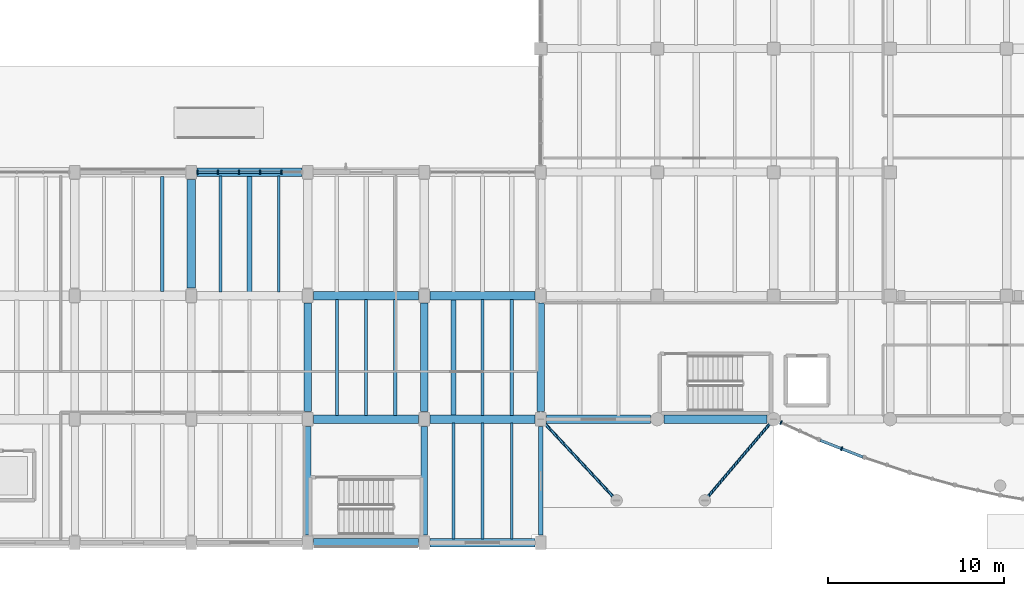
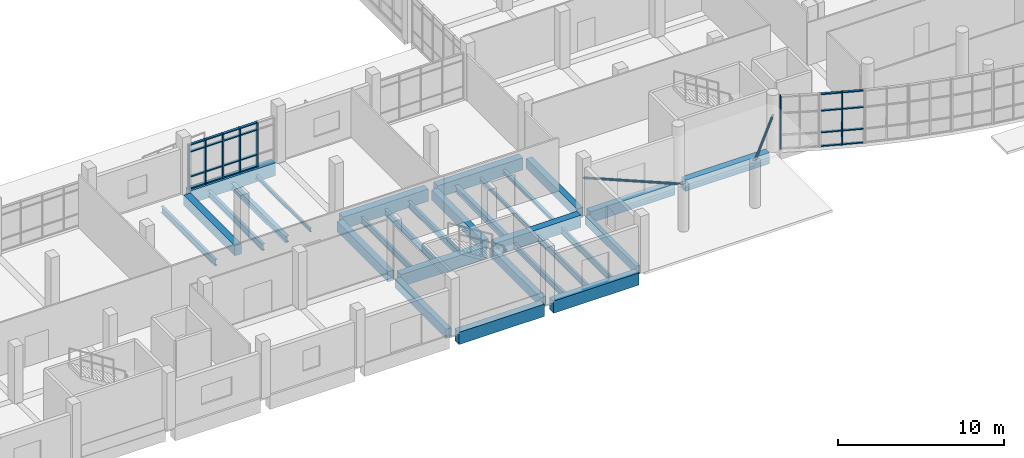
# One storey, part 4 of 69: 33 members, 29 beams, 3 elements without a shape of their own.
"""IFC4 building model written with IfcOpenShell, lengths in metres."""

from ifc_helpers import new_model, si_unit, direction, frame, origin, origin_2d, place, context, subcontext, project, spatial, rectangle, hollow_circle, i_section, extrude, material, material_profile, profile_set, type_object, element, aggregate, save


model = new_model("IFC4")

# Units and contexts
model_context = context("Model", 3, precision=1e-05, world=origin(), true_north=direction((0.0, 1.0)))
body_context = subcontext(model_context, "Body", "Model", "MODEL_VIEW")
ifc_project = project(units=[si_unit("LENGTHUNIT", "METRE"), si_unit("AREAUNIT", "SQUARE_METRE"), si_unit("VOLUMEUNIT", "CUBIC_METRE"), si_unit("PLANEANGLEUNIT", "RADIAN"), si_unit("MASSUNIT", "GRAM", prefix="KILO")], contexts=[model_context])

# Site, building, storey
site_placement = place(None, origin())
site = spatial("IfcSite", under=ifc_project, at=site_placement, CompositionType="ELEMENT")
building_placement = place(site_placement, origin())
building = spatial("IfcBuilding", under=site, at=building_placement, Name="Ciguamira Faculty of Natural Sciences", CompositionType="ELEMENT")
storey_placement = place(building_placement, origin())
storey = spatial("IfcBuildingStorey", under=building, at=storey_placement, Name="L00", CompositionType="ELEMENT", Elevation=0.0)

# Curtain wall, members
ifc_material_1 = material(Name="Anodized aluminium curtain wall", Category="aluminium")
curtain_wall_type_1 = type_object("IfcCurtainWallType", Name="CurtainWall_CW-03", PredefinedType="USERDEFINED", material=ifc_material_1)
curtain_wall_1_placement = place(storey_placement, origin())
curtain_wall_1 = element("IfcCurtainWall", 1, at=curtain_wall_1_placement, inside=storey, type_object=curtain_wall_type_1, Name="L00 unitised curtain wall 0003", ObjectType="UNITISED CURTAIN WALL", PredefinedType="USERDEFINED")
ifc_material_2 = material(Name="Anodized aluminium mullion", Category="aluminium")
ifc_material_profile_1 = material_profile(ifc_material_2, rectangle(XDim=0.080078125, YDim=0.219970703125, at=origin_2d()), Name="ALU-MUL-80X220")
ifc_profile_set_1 = profile_set([ifc_material_profile_1], Name="Anodized aluminium mullion")
member_type_1 = type_object("IfcMemberType", Name="CWMullion_CWM-03", PredefinedType="MULLION", material=ifc_profile_set_1)
member_1_placement = place(storey_placement, frame((31.239990234375, 24.0, 0.0), z_axis=(0.0, 0.0, 1.0), x_axis=(1.0, 0.0, 0.0)))
member_1 = element("IfcMember", 2, at=member_1_placement, type_object=member_type_1, Name="CW-03 mullion 1", PredefinedType="MULLION", context=body_context, shape_type="SweptSolid", body=[
    extrude(rectangle(XDim=0.080078125, YDim=0.219970703125, at=origin_2d()), origin(), (0.0, 0.0, 1.0), 3.284912109375),
])
member_2_placement = place(storey_placement, frame((32.39990234375, 24.0, 0.0), z_axis=(0.0, 0.0, 1.0), x_axis=(1.0, 0.0, 0.0)))
member_2 = element("IfcMember", 3, at=member_2_placement, type_object=member_type_1, Name="CW-03 mullion 2", PredefinedType="MULLION", context=body_context, shape_type="SweptSolid", body=[
    extrude(rectangle(XDim=0.080078125, YDim=0.219970703125, at=origin_2d()), origin(), (0.0, 0.0, 1.0), 3.284912109375),
])
member_3_placement = place(storey_placement, frame((33.60009765625, 24.0, 0.0), z_axis=(0.0, 0.0, 1.0), x_axis=(1.0, 0.0, 0.0)))
member_3 = element("IfcMember", 4, at=member_3_placement, type_object=member_type_1, Name="CW-03 mullion 3", PredefinedType="MULLION", context=body_context, shape_type="SweptSolid", body=[
    extrude(rectangle(XDim=0.080078125, YDim=0.219970703125, at=origin_2d()), origin(), (0.0, 0.0, 1.0), 3.284912109375),
])
member_4_placement = place(storey_placement, frame((34.800048828125, 24.0, 0.0), z_axis=(0.0, 0.0, 1.0), x_axis=(1.0, 0.0, 0.0)))
member_4 = element("IfcMember", 5, at=member_4_placement, type_object=member_type_1, Name="CW-03 mullion 4", PredefinedType="MULLION", context=body_context, shape_type="SweptSolid", body=[
    extrude(rectangle(XDim=0.080078125, YDim=0.219970703125, at=origin_2d()), origin(), (0.0, 0.0, 1.0), 3.284912109375),
])
member_5_placement = place(storey_placement, frame((36.0, 24.0, 0.0), z_axis=(0.0, 0.0, 1.0), x_axis=(1.0, 0.0, 0.0)))
member_5 = element("IfcMember", 6, at=member_5_placement, type_object=member_type_1, Name="CW-03 mullion 5", PredefinedType="MULLION", context=body_context, shape_type="SweptSolid", body=[
    extrude(rectangle(XDim=0.080078125, YDim=0.219970703125, at=origin_2d()), origin(), (0.0, 0.0, 1.0), 3.284912109375),
])

# Curtain wall, member
curtain_wall_type_2 = type_object("IfcCurtainWallType", Name="CurtainWall_CW-07", PredefinedType="USERDEFINED", material=ifc_material_1)
curtain_wall_2_placement = place(storey_placement, origin())
curtain_wall_2 = element("IfcCurtainWall", 7, at=curtain_wall_2_placement, inside=storey, type_object=curtain_wall_type_2, Name="L00 south gallery curved curtain wall 01", ObjectType="UNITISED CURTAIN WALL", PredefinedType="USERDEFINED")
member_6_placement = place(storey_placement, frame((64.31884765625, 9.809814453125, 0.0), z_axis=(0.0, 0.0, 1.0), x_axis=(0.910580503774, -0.41333176281, 0.0)))
member_6 = element("IfcMember", 8, at=member_6_placement, type_object=member_type_1, Name="CW-07 mullion 1", PredefinedType="MULLION", context=body_context, shape_type="SweptSolid", body=[
    extrude(rectangle(XDim=0.080078125, YDim=0.219970703125, at=origin_2d()), origin(), (0.0, 0.0, 1.0), 3.89990234375),
])
aggregate(curtain_wall_2, [member_6])

curtain_wall_type_3 = type_object("IfcCurtainWallType", Name="CurtainWall_CW-08", PredefinedType="USERDEFINED", material=ifc_material_1)
curtain_wall_3_placement = place(storey_placement, origin())
curtain_wall_3 = element("IfcCurtainWall", 9, at=curtain_wall_3_placement, inside=storey, type_object=curtain_wall_type_3, Name="L00 south gallery curved curtain wall 02", ObjectType="UNITISED CURTAIN WALL", PredefinedType="USERDEFINED")
member_7_placement = place(storey_placement, frame((67.75, 8.332275390625, 0.0), z_axis=(0.0, 0.0, 1.0), x_axis=(0.931122296337, -0.36470710065, 0.0)))
member_7 = element("IfcMember", 10, at=member_7_placement, type_object=member_type_1, Name="CW-08 mullion 2", PredefinedType="MULLION", context=body_context, shape_type="SweptSolid", body=[
    extrude(rectangle(XDim=0.080078125, YDim=0.219970703125, at=origin_2d()), origin(), (0.0, 0.0, 1.0), 3.89990234375),
])

# Member
ifc_material_3 = material(Name="Anodized aluminium transom", Category="aluminium")
ifc_material_profile_2 = material_profile(ifc_material_3, rectangle(XDim=0.080078125, YDim=0.159912109375, at=origin_2d()), Name="ALU-TRN-80X160")
ifc_profile_set_2 = profile_set([ifc_material_profile_2], Name="Anodized aluminium transom")
member_type_2 = type_object("IfcMemberType", Name="CWTransom_CWT-03", PredefinedType="USERDEFINED", material=ifc_profile_set_2)
member_8_placement = place(storey_placement, frame((31.280029296875, 24.0, 0.0400390625), z_axis=(1.0, 0.0, 0.0), x_axis=(0.0, 0.0, 1.0)))
member_8 = element("IfcMember", 11, at=member_8_placement, type_object=member_type_2, Name="CW-03 transom 1.1", ObjectType="TRANSOM", PredefinedType="USERDEFINED", context=body_context, shape_type="SweptSolid", body=[
    extrude(rectangle(XDim=0.080078125, YDim=0.159912109375, at=origin_2d()), origin(), (0.0, 0.0, 1.0), 1.080078125),
])

member_9_placement = place(storey_placement, frame((31.280029296875, 24.0, 0.89990234375), z_axis=(1.0, 0.0, 0.0), x_axis=(0.0, 0.0, 1.0)))
member_9 = element("IfcMember", 12, at=member_9_placement, type_object=member_type_2, Name="CW-03 transom 1.2", ObjectType="TRANSOM", PredefinedType="USERDEFINED", context=body_context, shape_type="SweptSolid", body=[
    extrude(rectangle(XDim=0.080078125, YDim=0.159912109375, at=origin_2d()), origin(), (0.0, 0.0, 1.0), 1.080078125),
])

member_10_placement = place(storey_placement, frame((31.280029296875, 24.0, 2.735107421875), z_axis=(1.0, 0.0, 0.0), x_axis=(0.0, 0.0, 1.0)))
member_10 = element("IfcMember", 13, at=member_10_placement, type_object=member_type_2, Name="CW-03 transom 1.3", ObjectType="TRANSOM", PredefinedType="USERDEFINED", context=body_context, shape_type="SweptSolid", body=[
    extrude(rectangle(XDim=0.080078125, YDim=0.159912109375, at=origin_2d()), origin(), (0.0, 0.0, 1.0), 1.080078125),
])

member_11_placement = place(storey_placement, frame((31.280029296875, 24.0, 3.2451171875), z_axis=(1.0, 0.0, 0.0), x_axis=(0.0, 0.0, 1.0)))
member_11 = element("IfcMember", 14, at=member_11_placement, type_object=member_type_2, Name="CW-03 transom 1.4", ObjectType="TRANSOM", PredefinedType="USERDEFINED", context=body_context, shape_type="SweptSolid", body=[
    extrude(rectangle(XDim=0.080078125, YDim=0.159912109375, at=origin_2d()), origin(), (0.0, 0.0, 1.0), 1.080078125),
])

member_12_placement = place(storey_placement, frame((32.43994140625, 24.0, 0.0400390625), z_axis=(1.0, 0.0, 0.0), x_axis=(0.0, 0.0, 1.0)))
member_12 = element("IfcMember", 15, at=member_12_placement, type_object=member_type_2, Name="CW-03 transom 2.1", ObjectType="TRANSOM", PredefinedType="USERDEFINED", context=body_context, shape_type="SweptSolid", body=[
    extrude(rectangle(XDim=0.080078125, YDim=0.159912109375, at=origin_2d()), origin(), (0.0, 0.0, 1.0), 1.1201171875),
])

member_13_placement = place(storey_placement, frame((32.43994140625, 24.0, 0.89990234375), z_axis=(1.0, 0.0, 0.0), x_axis=(0.0, 0.0, 1.0)))
member_13 = element("IfcMember", 16, at=member_13_placement, type_object=member_type_2, Name="CW-03 transom 2.2", ObjectType="TRANSOM", PredefinedType="USERDEFINED", context=body_context, shape_type="SweptSolid", body=[
    extrude(rectangle(XDim=0.080078125, YDim=0.159912109375, at=origin_2d()), origin(), (0.0, 0.0, 1.0), 1.1201171875),
])

member_14_placement = place(storey_placement, frame((32.43994140625, 24.0, 2.735107421875), z_axis=(1.0, 0.0, 0.0), x_axis=(0.0, 0.0, 1.0)))
member_14 = element("IfcMember", 17, at=member_14_placement, type_object=member_type_2, Name="CW-03 transom 2.3", ObjectType="TRANSOM", PredefinedType="USERDEFINED", context=body_context, shape_type="SweptSolid", body=[
    extrude(rectangle(XDim=0.080078125, YDim=0.159912109375, at=origin_2d()), origin(), (0.0, 0.0, 1.0), 1.1201171875),
])

member_15_placement = place(storey_placement, frame((32.43994140625, 24.0, 3.2451171875), z_axis=(1.0, 0.0, 0.0), x_axis=(0.0, 0.0, 1.0)))
member_15 = element("IfcMember", 18, at=member_15_placement, type_object=member_type_2, Name="CW-03 transom 2.4", ObjectType="TRANSOM", PredefinedType="USERDEFINED", context=body_context, shape_type="SweptSolid", body=[
    extrude(rectangle(XDim=0.080078125, YDim=0.159912109375, at=origin_2d()), origin(), (0.0, 0.0, 1.0), 1.1201171875),
])

member_16_placement = place(storey_placement, frame((33.639892578125, 24.0, 0.0400390625), z_axis=(1.0, 0.0, 0.0), x_axis=(0.0, 0.0, 1.0)))
member_16 = element("IfcMember", 19, at=member_16_placement, type_object=member_type_2, Name="CW-03 transom 3.1", ObjectType="TRANSOM", PredefinedType="USERDEFINED", context=body_context, shape_type="SweptSolid", body=[
    extrude(rectangle(XDim=0.080078125, YDim=0.159912109375, at=origin_2d()), origin(), (0.0, 0.0, 1.0), 1.1201171875),
])

member_17_placement = place(storey_placement, frame((33.639892578125, 24.0, 0.89990234375), z_axis=(1.0, 0.0, 0.0), x_axis=(0.0, 0.0, 1.0)))
member_17 = element("IfcMember", 20, at=member_17_placement, type_object=member_type_2, Name="CW-03 transom 3.2", ObjectType="TRANSOM", PredefinedType="USERDEFINED", context=body_context, shape_type="SweptSolid", body=[
    extrude(rectangle(XDim=0.080078125, YDim=0.159912109375, at=origin_2d()), origin(), (0.0, 0.0, 1.0), 1.1201171875),
])

member_18_placement = place(storey_placement, frame((33.639892578125, 24.0, 2.735107421875), z_axis=(1.0, 0.0, 0.0), x_axis=(0.0, 0.0, 1.0)))
member_18 = element("IfcMember", 21, at=member_18_placement, type_object=member_type_2, Name="CW-03 transom 3.3", ObjectType="TRANSOM", PredefinedType="USERDEFINED", context=body_context, shape_type="SweptSolid", body=[
    extrude(rectangle(XDim=0.080078125, YDim=0.159912109375, at=origin_2d()), origin(), (0.0, 0.0, 1.0), 1.1201171875),
])

member_19_placement = place(storey_placement, frame((33.639892578125, 24.0, 3.2451171875), z_axis=(1.0, 0.0, 0.0), x_axis=(0.0, 0.0, 1.0)))
member_19 = element("IfcMember", 22, at=member_19_placement, type_object=member_type_2, Name="CW-03 transom 3.4", ObjectType="TRANSOM", PredefinedType="USERDEFINED", context=body_context, shape_type="SweptSolid", body=[
    extrude(rectangle(XDim=0.080078125, YDim=0.159912109375, at=origin_2d()), origin(), (0.0, 0.0, 1.0), 1.1201171875),
])

member_20_placement = place(storey_placement, frame((34.840087890625, 24.0, 0.0400390625), z_axis=(1.0, 0.0, 0.0), x_axis=(0.0, 0.0, 1.0)))
member_20 = element("IfcMember", 23, at=member_20_placement, type_object=member_type_2, Name="CW-03 transom 4.1", ObjectType="TRANSOM", PredefinedType="USERDEFINED", context=body_context, shape_type="SweptSolid", body=[
    extrude(rectangle(XDim=0.080078125, YDim=0.159912109375, at=origin_2d()), origin(), (0.0, 0.0, 1.0), 1.119873046875),
])

member_21_placement = place(storey_placement, frame((34.840087890625, 24.0, 0.89990234375), z_axis=(1.0, 0.0, 0.0), x_axis=(0.0, 0.0, 1.0)))
member_21 = element("IfcMember", 24, at=member_21_placement, type_object=member_type_2, Name="CW-03 transom 4.2", ObjectType="TRANSOM", PredefinedType="USERDEFINED", context=body_context, shape_type="SweptSolid", body=[
    extrude(rectangle(XDim=0.080078125, YDim=0.159912109375, at=origin_2d()), origin(), (0.0, 0.0, 1.0), 1.119873046875),
])

member_22_placement = place(storey_placement, frame((34.840087890625, 24.0, 2.735107421875), z_axis=(1.0, 0.0, 0.0), x_axis=(0.0, 0.0, 1.0)))
member_22 = element("IfcMember", 25, at=member_22_placement, type_object=member_type_2, Name="CW-03 transom 4.3", ObjectType="TRANSOM", PredefinedType="USERDEFINED", context=body_context, shape_type="SweptSolid", body=[
    extrude(rectangle(XDim=0.080078125, YDim=0.159912109375, at=origin_2d()), origin(), (0.0, 0.0, 1.0), 1.119873046875),
])

member_23_placement = place(storey_placement, frame((34.840087890625, 24.0, 3.2451171875), z_axis=(1.0, 0.0, 0.0), x_axis=(0.0, 0.0, 1.0)))
member_23 = element("IfcMember", 26, at=member_23_placement, type_object=member_type_2, Name="CW-03 transom 4.4", ObjectType="TRANSOM", PredefinedType="USERDEFINED", context=body_context, shape_type="SweptSolid", body=[
    extrude(rectangle(XDim=0.080078125, YDim=0.159912109375, at=origin_2d()), origin(), (0.0, 0.0, 1.0), 1.119873046875),
])

aggregate(curtain_wall_1, [member_1, member_2, member_3, member_4, member_5, member_8, member_9, member_10, member_11, member_12, member_13, member_14, member_15, member_16, member_17, member_18, member_19, member_20, member_21, member_22, member_23])

member_24_placement = place(storey_placement, frame((66.541259765625, 8.8056640625, 0.0400390625), z_axis=(0.931142528587, -0.364655442104, 0.0), x_axis=(0.0, 0.0, 1.0)))
member_24 = element("IfcMember", 27, at=member_24_placement, type_object=member_type_2, Name="CW-08 transom 1.1", ObjectType="TRANSOM", PredefinedType="USERDEFINED", context=body_context, shape_type="SweptSolid", body=[
    extrude(rectangle(XDim=0.080078125, YDim=0.159912109375, at=origin_2d()), origin(), (0.0, 0.0, 1.0), 1.258056640625),
])

member_25_placement = place(storey_placement, frame((66.541259765625, 8.8056640625, 1.050048828125), z_axis=(0.931142528587, -0.364655442104, 0.0), x_axis=(0.0, 0.0, 1.0)))
member_25 = element("IfcMember", 28, at=member_25_placement, type_object=member_type_2, Name="CW-08 transom 1.2", ObjectType="TRANSOM", PredefinedType="USERDEFINED", context=body_context, shape_type="SweptSolid", body=[
    extrude(rectangle(XDim=0.080078125, YDim=0.159912109375, at=origin_2d()), origin(), (0.0, 0.0, 1.0), 1.258056640625),
])

member_26_placement = place(storey_placement, frame((66.541259765625, 8.8056640625, 2.64990234375), z_axis=(0.931142528587, -0.364655442104, 0.0), x_axis=(0.0, 0.0, 1.0)))
member_26 = element("IfcMember", 29, at=member_26_placement, type_object=member_type_2, Name="CW-08 transom 1.3", ObjectType="TRANSOM", PredefinedType="USERDEFINED", context=body_context, shape_type="SweptSolid", body=[
    extrude(rectangle(XDim=0.080078125, YDim=0.159912109375, at=origin_2d()), origin(), (0.0, 0.0, 1.0), 1.258056640625),
])

member_27_placement = place(storey_placement, frame((66.541259765625, 8.8056640625, 3.860107421875), z_axis=(0.931142528587, -0.364655442104, 0.0), x_axis=(0.0, 0.0, 1.0)))
member_27 = element("IfcMember", 30, at=member_27_placement, type_object=member_type_2, Name="CW-08 transom 1.4", ObjectType="TRANSOM", PredefinedType="USERDEFINED", context=body_context, shape_type="SweptSolid", body=[
    extrude(rectangle(XDim=0.080078125, YDim=0.159912109375, at=origin_2d()), origin(), (0.0, 0.0, 1.0), 1.258056640625),
])

member_28_placement = place(storey_placement, frame((67.787353515625, 8.317626953125, 0.0400390625), z_axis=(0.931142528587, -0.364655442104, 0.0), x_axis=(0.0, 0.0, 1.0)))
member_28 = element("IfcMember", 31, at=member_28_placement, type_object=member_type_2, Name="CW-08 transom 2.1", ObjectType="TRANSOM", PredefinedType="USERDEFINED", context=body_context, shape_type="SweptSolid", body=[
    extrude(rectangle(XDim=0.080078125, YDim=0.159912109375, at=origin_2d()), origin(), (0.0, 0.0, 1.0), 1.258056640625),
])

member_29_placement = place(storey_placement, frame((67.787353515625, 8.317626953125, 1.050048828125), z_axis=(0.931142528587, -0.364655442104, 0.0), x_axis=(0.0, 0.0, 1.0)))
member_29 = element("IfcMember", 32, at=member_29_placement, type_object=member_type_2, Name="CW-08 transom 2.2", ObjectType="TRANSOM", PredefinedType="USERDEFINED", context=body_context, shape_type="SweptSolid", body=[
    extrude(rectangle(XDim=0.080078125, YDim=0.159912109375, at=origin_2d()), origin(), (0.0, 0.0, 1.0), 1.258056640625),
])

member_30_placement = place(storey_placement, frame((67.787353515625, 8.317626953125, 2.64990234375), z_axis=(0.931142528587, -0.364655442104, 0.0), x_axis=(0.0, 0.0, 1.0)))
member_30 = element("IfcMember", 33, at=member_30_placement, type_object=member_type_2, Name="CW-08 transom 2.3", ObjectType="TRANSOM", PredefinedType="USERDEFINED", context=body_context, shape_type="SweptSolid", body=[
    extrude(rectangle(XDim=0.080078125, YDim=0.159912109375, at=origin_2d()), origin(), (0.0, 0.0, 1.0), 1.258056640625),
])

member_31_placement = place(storey_placement, frame((67.787353515625, 8.317626953125, 3.860107421875), z_axis=(0.931142528587, -0.364655442104, 0.0), x_axis=(0.0, 0.0, 1.0)))
member_31 = element("IfcMember", 34, at=member_31_placement, type_object=member_type_2, Name="CW-08 transom 2.4", ObjectType="TRANSOM", PredefinedType="USERDEFINED", context=body_context, shape_type="SweptSolid", body=[
    extrude(rectangle(XDim=0.080078125, YDim=0.159912109375, at=origin_2d()), origin(), (0.0, 0.0, 1.0), 1.258056640625),
])

aggregate(curtain_wall_3, [member_7, member_24, member_25, member_26, member_27, member_28, member_29, member_30, member_31])

# Beams
ifc_material_4 = material(Name="Concrete C40/50", Category="concrete")
ifc_material_profile_3 = material_profile(ifc_material_4, rectangle(XDim=0.5, YDim=0.949951171875, at=origin_2d()), Name="RC-BM-500X950")
ifc_profile_set_3 = profile_set([ifc_material_profile_3], Name="Concrete C40/50")
beam_type_1 = type_object("IfcBeamType", Name="RCBeam_BG-02_RC-BM-500X950", PredefinedType="BEAM", material=ifc_profile_set_3)
beam_1_placement = place(storey_placement, frame((31.22509765625, 24.0, -0.47509765625), z_axis=(1.0, 0.0, 0.0), x_axis=(0.0, 1.0, 0.0)))
element("IfcBeam", 35, at=beam_1_placement, inside=storey, type_object=beam_type_1, Name="L00 RC girder EW-0062", PredefinedType="BEAM", context=body_context, shape_type="SweptSolid", body=[
    extrude(rectangle(XDim=0.5, YDim=0.949951171875, at=origin_2d()), origin(), (0.0, 0.0, 1.0), 5.949951171875),
])
ifc_material_profile_4 = material_profile(ifc_material_4, rectangle(XDim=0.5, YDim=0.89990234375, at=origin_2d()), Name="RC-BM-500X900")
ifc_profile_set_4 = profile_set([ifc_material_profile_4], Name="Concrete C40/50")
beam_type_2 = type_object("IfcBeamType", Name="RCBeam_BG-03_RC-BM-500X900", PredefinedType="BEAM", material=ifc_profile_set_4)
for number, where, z_axis, x_axis, name in (
    (36, (37.824951171875, 3.0, -0.449951171875), (1.0, 0.0, 0.0), (0.0, 1.0, 0.0), "L00 RC girder EW-0006"),
    (37, (44.425048828125, 3.0, -0.449951171875), (1.0, 0.0, 0.0), (0.0, 1.0, 0.0), "L00 RC girder EW-0007"),
    (38, (37.824951171875, 10.0, -0.449951171875), (1.0, 0.0, 0.0), (0.0, 1.0, 0.0), "L00 RC girder EW-0020"),
    (39, (44.425048828125, 10.0, -0.449951171875), (1.0, 0.0, 0.0), (0.0, 1.0, 0.0), "L00 RC girder EW-0021"),
    (40, (37.824951171875, 17.0, -0.449951171875), (1.0, 0.0, 0.0), (0.0, 1.0, 0.0), "L00 RC girder EW-0038"),
    (41, (44.425048828125, 17.0, -0.449951171875), (1.0, 0.0, 0.0), (0.0, 1.0, 0.0), "L00 RC girder EW-0039"),
):
    element("IfcBeam", number, at=place(storey_placement, frame(where, z_axis=z_axis, x_axis=x_axis)), inside=storey, type_object=beam_type_2, Name=name, PredefinedType="BEAM", context=body_context, shape_type="SweptSolid", body=[
        extrude(rectangle(XDim=0.5, YDim=0.89990234375, at=origin_2d()), origin(), (0.0, 0.0, 1.0), 5.949951171875),
    ])
ifc_material_profile_5 = material_profile(ifc_material_4, rectangle(XDim=0.4599609375, YDim=0.820068359375, at=origin_2d()), Name="RC-BM-460X820")
ifc_profile_set_5 = profile_set([ifc_material_profile_5], Name="Concrete C40/50")
beam_type_3 = type_object("IfcBeamType", Name="RCBeam_BG-04_RC-BM-460X820", PredefinedType="BEAM", material=ifc_profile_set_5)
beam_2_placement = place(storey_placement, frame((51.02490234375, 10.0, -0.409912109375), z_axis=(1.0, 0.0, 0.0), x_axis=(0.0, 1.0, 0.0)))
element("IfcBeam", 42, at=beam_2_placement, inside=storey, type_object=beam_type_3, Name="L00 RC girder EW-0022", PredefinedType="BEAM", context=body_context, shape_type="SweptSolid", body=[
    extrude(rectangle(XDim=0.4599609375, YDim=0.820068359375, at=origin_2d()), origin(), (0.0, 0.0, 1.0), 5.900146484375),
])
beam_3_placement = place(storey_placement, frame((57.675048828125, 10.0, -0.409912109375), z_axis=(1.0, 0.0, 0.0), x_axis=(0.0, 1.0, 0.0)))
element("IfcBeam", 43, at=beam_3_placement, inside=storey, type_object=beam_type_3, Name="L00 RC girder EW-0023", PredefinedType="BEAM", context=body_context, shape_type="SweptSolid", body=[
    extrude(rectangle(XDim=0.4599609375, YDim=0.820068359375, at=origin_2d()), origin(), (0.0, 0.0, 1.0), 5.849853515625),
])
ifc_material_profile_6 = material_profile(ifc_material_4, rectangle(XDim=0.419921875, YDim=0.739990234375, at=origin_2d()), Name="RC-BM-420X740")
ifc_profile_set_6 = profile_set([ifc_material_profile_6], Name="Concrete C40/50")
beam_type_4 = type_object("IfcBeamType", Name="RCBeam_BG-07_RC-BM-420X740", PredefinedType="BEAM", material=ifc_profile_set_6)
for number, where, z_axis, x_axis, name in (
    (44, (37.5, 10.425048828125, -0.3701171875), (0.0, 1.0, 0.0), (-1.0, 0.0, 0.0), "L00 girder NS-0208"),
    (45, (44.10009765625, 10.425048828125, -0.3701171875), (0.0, 1.0, 0.0), (-1.0, 0.0, 0.0), "L00 girder NS-0211"),
    (46, (50.699951171875, 10.425048828125, -0.3701171875), (0.0, 1.0, 0.0), (-1.0, 0.0, 0.0), "L00 girder NS-0214"),
):
    element("IfcBeam", number, at=place(storey_placement, frame(where, z_axis=z_axis, x_axis=x_axis)), inside=storey, type_object=beam_type_4, Name=name, PredefinedType="BEAM", context=body_context, shape_type="SweptSolid", body=[
        extrude(rectangle(XDim=0.419921875, YDim=0.739990234375, at=origin_2d()), origin(), (0.0, 0.0, 1.0), 6.14990234375),
    ])
ifc_material_profile_7 = material_profile(ifc_material_4, rectangle(XDim=0.3798828125, YDim=0.679931640625, at=origin_2d()), Name="RC-BM-380X680")
ifc_profile_set_7 = profile_set([ifc_material_profile_7], Name="Concrete C40/50")
beam_type_5 = type_object("IfcBeamType", Name="RCBeam_BG-09_RC-BM-380X680", PredefinedType="BEAM", material=ifc_profile_set_7)
for number, where, z_axis, x_axis, name in (
    (47, (37.5, 3.425048828125, -0.340087890625), (0.0, 1.0, 0.0), (-1.0, 0.0, 0.0), "L00 girder NS-0207"),
    (48, (44.10009765625, 3.425048828125, -0.340087890625), (0.0, 1.0, 0.0), (-1.0, 0.0, 0.0), "L00 girder NS-0210"),
):
    element("IfcBeam", number, at=place(storey_placement, frame(where, z_axis=z_axis, x_axis=x_axis)), inside=storey, type_object=beam_type_5, Name=name, PredefinedType="BEAM", context=body_context, shape_type="SweptSolid", body=[
        extrude(rectangle(XDim=0.3798828125, YDim=0.679931640625, at=origin_2d()), origin(), (0.0, 0.0, 1.0), 6.14990234375),
    ])
ifc_material_5 = material(Name="Precast concrete C40/50", Category="concrete")
ifc_material_profile_8 = material_profile(ifc_material_5, rectangle(XDim=0.280029296875, YDim=0.6201171875, at=origin_2d()), Name="RC-SP-280X620")
ifc_profile_set_8 = profile_set([ifc_material_profile_8], Name="Precast concrete C40/50")
beam_type_6 = type_object("IfcBeamType", Name="RCBeam_SP-01_RC-SP-280X620", PredefinedType="SPANDREL", material=ifc_profile_set_8)
beam_4_placement = place(storey_placement, frame((50.699951171875, 3.425048828125, -0.31005859375), z_axis=(0.0, 1.0, 0.0), x_axis=(-1.0, 0.0, 0.0)))
element("IfcBeam", 49, at=beam_4_placement, inside=storey, type_object=beam_type_6, Name="L00 girder NS-0213", PredefinedType="SPANDREL", context=body_context, shape_type="SweptSolid", body=[
    extrude(rectangle(XDim=0.280029296875, YDim=0.6201171875, at=origin_2d()), origin(), (0.0, 0.0, 1.0), 6.14990234375),
])
ifc_material_profile_9 = material_profile(ifc_material_4, rectangle(XDim=0.47998046875, YDim=0.760009765625, at=origin_2d()), Name="RC-TB-480X760")
ifc_profile_set_9 = profile_set([ifc_material_profile_9], Name="Concrete C40/50")
beam_type_7 = type_object("IfcBeamType", Name="RCBeam_TB-01_RC-TB-480X760", PredefinedType="T_BEAM", material=ifc_profile_set_9)
beam_5_placement = place(storey_placement, frame((30.89990234375, 17.425048828125, -0.3798828125), z_axis=(0.0, 1.0, 0.0), x_axis=(-1.0, 0.0, 0.0)))
element("IfcBeam", 50, at=beam_5_placement, inside=storey, type_object=beam_type_7, Name="L00 girder NS-0206", PredefinedType="T_BEAM", context=body_context, shape_type="SweptSolid", body=[
    extrude(rectangle(XDim=0.47998046875, YDim=0.760009765625, at=origin_2d()), origin(), (0.0, 0.0, 1.0), 6.14990234375),
])
ifc_material_6 = material(Name="Steel ASTM A992 Grade 50", Category="steel")
ifc_material_profile_10 = material_profile(ifc_material_6, i_section(OverallWidth=0.14599609375, OverallDepth=0.259033203125, WebThickness=0.006103515625, FlangeThickness=0.009033203125, at=origin_2d()), Name="W10X22")
ifc_profile_set_10 = profile_set([ifc_material_profile_10], Name="Steel ASTM A992 Grade 50")
beam_type_8 = type_object("IfcBeamType", Name="SteelJoist_SJ-01_W10X22", PredefinedType="JOIST", material=ifc_profile_set_10)
for number, where, z_axis, x_axis, name in (
    (51, (35.85009765625, 17.2099609375, -0.529541015625), (0.0, 1.0, 0.0), (-1.0, 0.0, 0.0), "L00 composite steel joist 00041"),
    (52, (47.39990234375, 10.2099609375, -0.529541015625), (0.0, 1.0, 0.0), (-1.0, 0.0, 0.0), "L00 composite steel joist 00052"),
):
    element("IfcBeam", number, at=place(storey_placement, frame(where, z_axis=z_axis, x_axis=x_axis)), inside=storey, type_object=beam_type_8, Name=name, PredefinedType="JOIST", context=body_context, shape_type="SweptSolid", body=[
        extrude(i_section(OverallWidth=0.14599609375, OverallDepth=0.259033203125, WebThickness=0.006103515625, FlangeThickness=0.009033203125, at=origin_2d()), origin(), (0.0, 0.0, 1.0), 6.580078125),
    ])
ifc_material_profile_11 = material_profile(ifc_material_6, i_section(OverallWidth=0.2021484375, OverallDepth=0.2470703125, WebThickness=0.00732421875, FlangeThickness=0.010986328125, at=origin_2d()), Name="W10X33")
ifc_profile_set_11 = profile_set([ifc_material_profile_11], Name="Steel ASTM A992 Grade 50")
beam_type_9 = type_object("IfcBeamType", Name="SteelJoist_SJ-02_W10X33", PredefinedType="JOIST", material=ifc_profile_set_11)
beam_6_placement = place(storey_placement, frame((49.050048828125, 10.2099609375, -0.523681640625), z_axis=(0.0, 1.0, 0.0), x_axis=(-1.0, 0.0, 0.0)))
element("IfcBeam", 53, at=beam_6_placement, inside=storey, type_object=beam_type_9, Name="L00 composite steel joist 00053", PredefinedType="JOIST", context=body_context, shape_type="SweptSolid", body=[
    extrude(i_section(OverallWidth=0.2021484375, OverallDepth=0.2470703125, WebThickness=0.00732421875, FlangeThickness=0.010986328125, at=origin_2d()), origin(), (0.0, 0.0, 1.0), 6.580078125),
])
ifc_material_profile_12 = material_profile(ifc_material_6, i_section(OverallWidth=0.180908203125, OverallDepth=0.41650390625, WebThickness=0.010986328125, FlangeThickness=0.01806640625, at=origin_2d()), Name="W16X57")
ifc_profile_set_12 = profile_set([ifc_material_profile_12], Name="Steel ASTM A992 Grade 50")
beam_type_10 = type_object("IfcBeamType", Name="SteelJoist_SJ-20_W16X57", PredefinedType="JOIST", material=ifc_profile_set_12)
beam_7_placement = place(storey_placement, frame((45.75, 3.2099609375, -0.6083984375), z_axis=(0.0, 1.0, 0.0), x_axis=(-1.0, 0.0, 0.0)))
element("IfcBeam", 54, at=beam_7_placement, inside=storey, type_object=beam_type_10, Name="L00 composite steel joist 00048", PredefinedType="JOIST", context=body_context, shape_type="SweptSolid", body=[
    extrude(i_section(OverallWidth=0.180908203125, OverallDepth=0.41650390625, WebThickness=0.010986328125, FlangeThickness=0.01806640625, at=origin_2d()), origin(), (0.0, 0.0, 1.0), 6.580078125),
])
ifc_material_profile_13 = material_profile(ifc_material_6, i_section(OverallWidth=0.15234375, OverallDepth=0.449462890625, WebThickness=0.007568359375, FlangeThickness=0.0107421875, at=origin_2d()), Name="W18X35")
ifc_profile_set_13 = profile_set([ifc_material_profile_13], Name="Steel ASTM A992 Grade 50")
beam_type_11 = type_object("IfcBeamType", Name="SteelJoist_SJ-21_W18X35", PredefinedType="JOIST", material=ifc_profile_set_13)
beam_8_placement = place(storey_placement, frame((47.39990234375, 3.2099609375, -0.624755859375), z_axis=(0.0, 1.0, 0.0), x_axis=(-1.0, 0.0, 0.0)))
element("IfcBeam", 55, at=beam_8_placement, inside=storey, type_object=beam_type_11, Name="L00 composite steel joist 00049", PredefinedType="JOIST", context=body_context, shape_type="SweptSolid", body=[
    extrude(i_section(OverallWidth=0.15234375, OverallDepth=0.449462890625, WebThickness=0.007568359375, FlangeThickness=0.0107421875, at=origin_2d()), origin(), (0.0, 0.0, 1.0), 6.580078125),
])
ifc_material_profile_14 = material_profile(ifc_material_6, i_section(OverallWidth=0.15283203125, OverallDepth=0.45458984375, WebThickness=0.008056640625, FlangeThickness=0.013427734375, at=origin_2d()), Name="W18X40")
ifc_profile_set_14 = profile_set([ifc_material_profile_14], Name="Steel ASTM A992 Grade 50")
beam_type_12 = type_object("IfcBeamType", Name="SteelJoist_SJ-22_W18X40", PredefinedType="JOIST", material=ifc_profile_set_14)
for number, where, z_axis, x_axis, name in (
    (56, (39.14990234375, 10.2099609375, -0.627197265625), (0.0, 1.0, 0.0), (-1.0, 0.0, 0.0), "L00 composite steel joist 00042"),
    (57, (49.050048828125, 3.2099609375, -0.627197265625), (0.0, 1.0, 0.0), (-1.0, 0.0, 0.0), "L00 composite steel joist 00050"),
):
    element("IfcBeam", number, at=place(storey_placement, frame(where, z_axis=z_axis, x_axis=x_axis)), inside=storey, type_object=beam_type_12, Name=name, PredefinedType="JOIST", context=body_context, shape_type="SweptSolid", body=[
        extrude(i_section(OverallWidth=0.15283203125, OverallDepth=0.45458984375, WebThickness=0.008056640625, FlangeThickness=0.013427734375, at=origin_2d()), origin(), (0.0, 0.0, 1.0), 6.580078125),
    ])
ifc_material_profile_15 = material_profile(ifc_material_6, i_section(OverallWidth=0.1904296875, OverallDepth=0.457275390625, WebThickness=0.009033203125, FlangeThickness=0.014404296875, at=origin_2d()), Name="W18X50")
ifc_profile_set_15 = profile_set([ifc_material_profile_15], Name="Steel ASTM A992 Grade 50")
beam_type_13 = type_object("IfcBeamType", Name="SteelJoist_SJ-23_W18X50", PredefinedType="JOIST", material=ifc_profile_set_15)
beam_9_placement = place(storey_placement, frame((29.25, 17.235107421875, -0.628662109375), z_axis=(0.0, 1.0, 0.0), x_axis=(-1.0, 0.0, 0.0)))
element("IfcBeam", 58, at=beam_9_placement, inside=storey, type_object=beam_type_13, Name="L00 composite steel joist 00032", PredefinedType="JOIST", context=body_context, shape_type="SweptSolid", body=[
    extrude(i_section(OverallWidth=0.1904296875, OverallDepth=0.457275390625, WebThickness=0.009033203125, FlangeThickness=0.014404296875, at=origin_2d()), origin(), (0.0, 0.0, 1.0), 6.52978515625),
])
beam_10_placement = place(storey_placement, frame((40.800048828125, 10.2099609375, -0.628662109375), z_axis=(0.0, 1.0, 0.0), x_axis=(-1.0, 0.0, 0.0)))
element("IfcBeam", 59, at=beam_10_placement, inside=storey, type_object=beam_type_13, Name="L00 composite steel joist 00043", PredefinedType="JOIST", context=body_context, shape_type="SweptSolid", body=[
    extrude(i_section(OverallWidth=0.1904296875, OverallDepth=0.457275390625, WebThickness=0.009033203125, FlangeThickness=0.014404296875, at=origin_2d()), origin(), (0.0, 0.0, 1.0), 6.580078125),
])
ifc_material_profile_16 = material_profile(ifc_material_6, i_section(OverallWidth=0.19287109375, OverallDepth=0.46728515625, WebThickness=0.011474609375, FlangeThickness=0.01904296875, at=origin_2d()), Name="W18X65")
ifc_profile_set_16 = profile_set([ifc_material_profile_16], Name="Steel ASTM A992 Grade 50")
beam_type_14 = type_object("IfcBeamType", Name="SteelJoist_SJ-24_W18X65", PredefinedType="JOIST", material=ifc_profile_set_16)
for number, where, z_axis, x_axis, name in (
    (60, (32.550048828125, 17.2099609375, -0.6337890625), (0.0, 1.0, 0.0), (-1.0, 0.0, 0.0), "L00 composite steel joist 00039"),
    (61, (42.449951171875, 10.2099609375, -0.6337890625), (0.0, 1.0, 0.0), (-1.0, 0.0, 0.0), "L00 composite steel joist 00044"),
):
    element("IfcBeam", number, at=place(storey_placement, frame(where, z_axis=z_axis, x_axis=x_axis)), inside=storey, type_object=beam_type_14, Name=name, PredefinedType="JOIST", context=body_context, shape_type="SweptSolid", body=[
        extrude(i_section(OverallWidth=0.19287109375, OverallDepth=0.46728515625, WebThickness=0.011474609375, FlangeThickness=0.01904296875, at=origin_2d()), origin(), (0.0, 0.0, 1.0), 6.580078125),
    ])
ifc_material_profile_17 = material_profile(ifc_material_6, i_section(OverallWidth=0.279296875, OverallDepth=0.462158203125, WebThickness=0.0107421875, FlangeThickness=0.017333984375, at=origin_2d()), Name="W18X76")
ifc_profile_set_17 = profile_set([ifc_material_profile_17], Name="Steel ASTM A992 Grade 50")
beam_type_15 = type_object("IfcBeamType", Name="SteelJoist_SJ-25_W18X76", PredefinedType="JOIST", material=ifc_profile_set_17)
for number, where, z_axis, x_axis, name in (
    (62, (34.199951171875, 17.2099609375, -0.631103515625), (0.0, 1.0, 0.0), (-1.0, 0.0, 0.0), "L00 composite steel joist 00040"),
    (63, (45.75, 10.2099609375, -0.631103515625), (0.0, 1.0, 0.0), (-1.0, 0.0, 0.0), "L00 composite steel joist 00051"),
):
    element("IfcBeam", number, at=place(storey_placement, frame(where, z_axis=z_axis, x_axis=x_axis)), inside=storey, type_object=beam_type_15, Name=name, PredefinedType="JOIST", context=body_context, shape_type="SweptSolid", body=[
        extrude(i_section(OverallWidth=0.279296875, OverallDepth=0.462158203125, WebThickness=0.0107421875, FlangeThickness=0.017333984375, at=origin_2d()), origin(), (0.0, 0.0, 1.0), 6.580078125),
    ])

# Members
ifc_material_7 = material(Name="Steel ASTM A500 Grade C", Category="steel")
ifc_material_profile_18 = material_profile(ifc_material_7, hollow_circle(Radius=0.084228515625, WallThickness=0.00732421875, at=origin_2d()), Name="HSS6.625X0.312")
ifc_profile_set_18 = profile_set([ifc_material_profile_18], Name="Steel ASTM A500 Grade C")
member_type_3 = type_object("IfcMemberType", Name="SteelMember_HS-01_HSS6.625X0.312", PredefinedType="STRUT", material=ifc_profile_set_18)
member_32_placement = place(storey_placement, frame((50.699951171875, 10.0, 2.5), z_axis=(0.67716187204, -0.724412876454, 0.129142492942), x_axis=(0.730530303088, 0.682880279603, 0.0)))
element("IfcMember", 64, at=member_32_placement, inside=storey, type_object=member_type_3, Name="Arrival Canopy HSS Tubular Strut 1", PredefinedType="STRUT", context=body_context, shape_type="SweptSolid", body=[
    extrude(hollow_circle(Radius=0.084228515625, WallThickness=0.00732421875, at=origin_2d()), origin(), (0.0, 0.0, 1.0), 6.35009765625),
])
member_33_placement = place(storey_placement, frame((63.89990234375, 10.0, 2.5), z_axis=(-0.640770803085, -0.755815917849, 0.134740774231), x_axis=(0.762771722638, -0.64666784298, 0.0)))
element("IfcMember", 65, at=member_33_placement, inside=storey, type_object=member_type_3, Name="Arrival Canopy HSS Tubular Strut 2", PredefinedType="STRUT", context=body_context, shape_type="SweptSolid", body=[
    extrude(hollow_circle(Radius=0.084228515625, WallThickness=0.00732421875, at=origin_2d()), origin(), (0.0, 0.0, 1.0), 6.086181640625),
])

save(model, "model.ifc")
